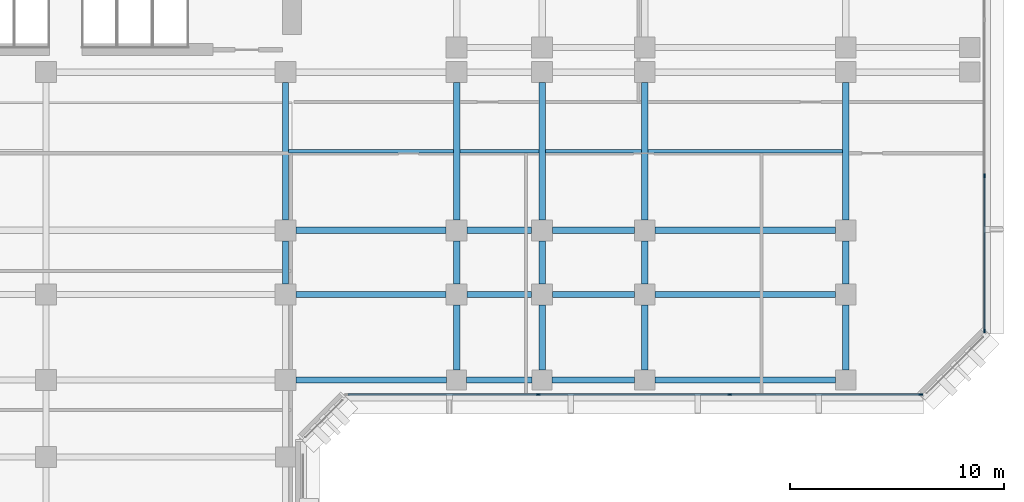
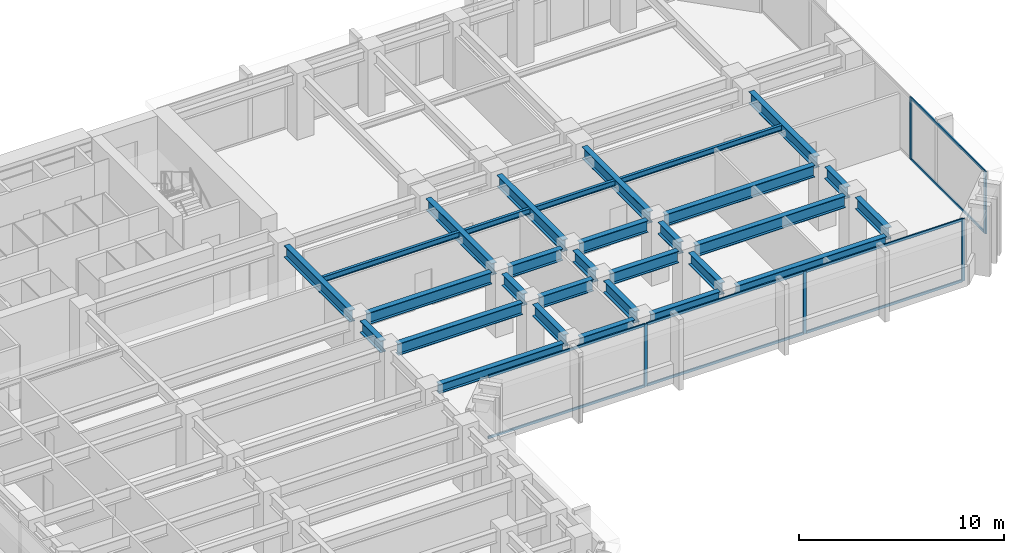
# One storey, part 3 of 14: 30 beams, 13 members, 2 elements without a shape of their own.
"""IFC4 building model written with IfcOpenShell, lengths in metres."""

from ifc_helpers import new_model, si_unit, direction, frame, origin, origin_2d, place, context, subcontext, project, spatial, rectangle, i_section, extrude, material, layer, layer_set, material_profile, profile_set, type_object, element, aggregate, save


model = new_model("IFC4")

# Units and contexts
model_context = context("Model", 3, precision=1e-05, world=origin(), true_north=direction((0.0, 1.0)))
body_context = subcontext(model_context, "Body", "Model", "MODEL_VIEW")
ifc_project = project(units=[si_unit("LENGTHUNIT", "METRE"), si_unit("AREAUNIT", "SQUARE_METRE"), si_unit("VOLUMEUNIT", "CUBIC_METRE"), si_unit("PLANEANGLEUNIT", "RADIAN"), si_unit("MASSUNIT", "GRAM", prefix="KILO")], contexts=[model_context])

# Site, building, storey
site_placement = place(None, origin())
site = spatial("IfcSite", under=ifc_project, at=site_placement, CompositionType="ELEMENT")
building_placement = place(site_placement, origin())
building = spatial("IfcBuilding", under=site, at=building_placement, Name="Kefirva Bronze Tower", CompositionType="ELEMENT")
storey_placement = place(building_placement, frame((0.0, 0.0, 34.320068359375)))
storey = spatial("IfcBuildingStorey", under=building, at=storey_placement, Name="L07", CompositionType="ELEMENT", Elevation=34.320068359375)

# Curtain wall, members
ifc_material_1 = material(Name="Bronze anodised aluminium", Category="aluminium")
ifc_layer = layer(ifc_material_1, 0.199951171875, Name="Bronze anodised aluminium")
ifc_layer_set = layer_set([ifc_layer], Name="Bronze anodised aluminium")
curtain_wall_type = type_object("IfcCurtainWallType", Name="Unitised Bronze Ribbon Curtain Wall Zone 1", PredefinedType="USERDEFINED", material=ifc_layer_set)
curtain_wall_1_placement = place(storey_placement, origin())
curtain_wall_1 = element("IfcCurtainWall", 1, at=curtain_wall_1_placement, inside=storey, type_object=curtain_wall_type, Name="L07 Curtain Wall 2", ObjectType="UNITISED CURTAIN WALL", PredefinedType="USERDEFINED")
ifc_material_profile_1 = material_profile(ifc_material_1, rectangle(XDim=0.074951171875, YDim=0.179931640625, at=origin_2d()), Name="ALU 75x180")
ifc_profile_set_1 = profile_set([ifc_material_profile_1], Name="Bronze anodised aluminium")
member_type_1 = type_object("IfcMemberType", Name="Bronze Mullion 75x180", PredefinedType="MULLION", material=ifc_profile_set_1)
member_1_placement = place(storey_placement, frame((35.018310546875, 18.1201171875, 0.0), z_axis=(0.0, 0.0, 1.0), x_axis=(0.0, 1.0, 0.0)))
member_1 = element("IfcMember", 2, at=member_1_placement, type_object=member_type_1, Name="CW-01 mullion 2", PredefinedType="MULLION", context=body_context, shape_type="SweptSolid", body=[
    extrude(rectangle(XDim=0.074951171875, YDim=0.179931640625, at=origin_2d()), origin(), (0.0, 0.0, 1.0), 3.7099609375),
])
member_2_placement = place(storey_placement, frame((43.981689453125, 18.1201171875, 0.0), z_axis=(0.0, 0.0, 1.0), x_axis=(0.0, 1.0, 0.0)))
member_2 = element("IfcMember", 3, at=member_2_placement, type_object=member_type_1, Name="CW-01 mullion 3", PredefinedType="MULLION", context=body_context, shape_type="SweptSolid", body=[
    extrude(rectangle(XDim=0.074951171875, YDim=0.179931640625, at=origin_2d()), origin(), (0.0, 0.0, 1.0), 3.7099609375),
])
member_3_placement = place(storey_placement, frame((52.907470703125, 18.1201171875, 0.0), z_axis=(0.0, 0.0, 1.0), x_axis=(0.0, 1.0, 0.0)))
member_3 = element("IfcMember", 4, at=member_3_placement, type_object=member_type_1, Name="CW-01 mullion 4", PredefinedType="MULLION", context=body_context, shape_type="SweptSolid", body=[
    extrude(rectangle(XDim=0.074951171875, YDim=0.179931640625, at=origin_2d()), origin(), (0.0, 0.0, 1.0), 3.7099609375),
])

curtain_wall_2_placement = place(storey_placement, origin())
curtain_wall_2 = element("IfcCurtainWall", 5, at=curtain_wall_2_placement, inside=storey, type_object=curtain_wall_type, Name="L07 Curtain Wall 3", ObjectType="UNITISED CURTAIN WALL", PredefinedType="USERDEFINED")
member_4_placement = place(storey_placement, frame((55.8798828125, 21.092529296875, 0.0), z_axis=(0.0, 0.0, 1.0), x_axis=(-1.0, 0.0, 0.0)))
member_4 = element("IfcMember", 6, at=member_4_placement, type_object=member_type_1, Name="CW-01 mullion 1", PredefinedType="MULLION", context=body_context, shape_type="SweptSolid", body=[
    extrude(rectangle(XDim=0.074951171875, YDim=0.179931640625, at=origin_2d()), origin(), (0.0, 0.0, 1.0), 3.7099609375),
])
member_5_placement = place(storey_placement, frame((55.8798828125, 28.3515625, 0.0), z_axis=(0.0, 0.0, 1.0), x_axis=(-1.0, 0.0, 0.0)))
member_5 = element("IfcMember", 7, at=member_5_placement, type_object=member_type_1, Name="CW-01 mullion 2", PredefinedType="MULLION", context=body_context, shape_type="SweptSolid", body=[
    extrude(rectangle(XDim=0.074951171875, YDim=0.179931640625, at=origin_2d()), origin(), (0.0, 0.0, 1.0), 3.7099609375),
])

# Member
ifc_material_profile_2 = material_profile(ifc_material_1, rectangle(XDim=0.074951171875, YDim=0.14990234375, at=origin_2d()), Name="ALU 75x150")
ifc_profile_set_2 = profile_set([ifc_material_profile_2], Name="Bronze anodised aluminium")
member_type_2 = type_object("IfcMemberType", Name="Bronze Transom 75x150", PredefinedType="USERDEFINED", material=ifc_profile_set_2)
member_6_placement = place(storey_placement, frame((26.1298828125, 18.1201171875, 0.037353515625), z_axis=(1.0, 0.0, 0.0), x_axis=(0.0, 1.0, 0.0)))
member_6 = element("IfcMember", 8, at=member_6_placement, type_object=member_type_2, Name="CW-01 transom 1.1", ObjectType="TRANSOM", PredefinedType="USERDEFINED", context=body_context, shape_type="SweptSolid", body=[
    extrude(rectangle(XDim=0.074951171875, YDim=0.14990234375, at=origin_2d()), origin(), (0.0, 0.0, 1.0), 8.850830078125),
])

member_7_placement = place(storey_placement, frame((26.1298828125, 18.1201171875, 3.67236328125), z_axis=(1.0, 0.0, 0.0), x_axis=(0.0, 1.0, 0.0)))
member_7 = element("IfcMember", 9, at=member_7_placement, type_object=member_type_2, Name="CW-01 transom 1.2", ObjectType="TRANSOM", PredefinedType="USERDEFINED", context=body_context, shape_type="SweptSolid", body=[
    extrude(rectangle(XDim=0.074951171875, YDim=0.14990234375, at=origin_2d()), origin(), (0.0, 0.0, 1.0), 8.850830078125),
])

member_8_placement = place(storey_placement, frame((35.055908203125, 18.1201171875, 0.037353515625), z_axis=(1.0, 0.0, 0.0), x_axis=(0.0, 1.0, 0.0)))
member_8 = element("IfcMember", 10, at=member_8_placement, type_object=member_type_2, Name="CW-01 transom 2.1", ObjectType="TRANSOM", PredefinedType="USERDEFINED", context=body_context, shape_type="SweptSolid", body=[
    extrude(rectangle(XDim=0.074951171875, YDim=0.14990234375, at=origin_2d()), origin(), (0.0, 0.0, 1.0), 8.88818359375),
])

member_9_placement = place(storey_placement, frame((35.055908203125, 18.1201171875, 3.67236328125), z_axis=(1.0, 0.0, 0.0), x_axis=(0.0, 1.0, 0.0)))
member_9 = element("IfcMember", 11, at=member_9_placement, type_object=member_type_2, Name="CW-01 transom 2.2", ObjectType="TRANSOM", PredefinedType="USERDEFINED", context=body_context, shape_type="SweptSolid", body=[
    extrude(rectangle(XDim=0.074951171875, YDim=0.14990234375, at=origin_2d()), origin(), (0.0, 0.0, 1.0), 8.88818359375),
])

member_10_placement = place(storey_placement, frame((44.019287109375, 18.1201171875, 0.037353515625), z_axis=(1.0, 0.0, 0.0), x_axis=(0.0, 1.0, 0.0)))
member_10 = element("IfcMember", 12, at=member_10_placement, type_object=member_type_2, Name="CW-01 transom 3.1", ObjectType="TRANSOM", PredefinedType="USERDEFINED", context=body_context, shape_type="SweptSolid", body=[
    extrude(rectangle(XDim=0.074951171875, YDim=0.14990234375, at=origin_2d()), origin(), (0.0, 0.0, 1.0), 8.850830078125),
])

member_11_placement = place(storey_placement, frame((44.019287109375, 18.1201171875, 3.67236328125), z_axis=(1.0, 0.0, 0.0), x_axis=(0.0, 1.0, 0.0)))
member_11 = element("IfcMember", 13, at=member_11_placement, type_object=member_type_2, Name="CW-01 transom 3.2", ObjectType="TRANSOM", PredefinedType="USERDEFINED", context=body_context, shape_type="SweptSolid", body=[
    extrude(rectangle(XDim=0.074951171875, YDim=0.14990234375, at=origin_2d()), origin(), (0.0, 0.0, 1.0), 8.850830078125),
])

aggregate(curtain_wall_1, [member_1, member_2, member_3, member_6, member_7, member_8, member_9, member_10, member_11])

member_12_placement = place(storey_placement, frame((55.8798828125, 21.1298828125, 0.037353515625), z_axis=(0.0, 1.0, 0.0), x_axis=(-1.0, 0.0, 0.0)))
member_12 = element("IfcMember", 14, at=member_12_placement, type_object=member_type_2, Name="CW-01 transom 1.1", ObjectType="TRANSOM", PredefinedType="USERDEFINED", context=body_context, shape_type="SweptSolid", body=[
    extrude(rectangle(XDim=0.074951171875, YDim=0.14990234375, at=origin_2d()), origin(), (0.0, 0.0, 1.0), 7.184326171875),
])

member_13_placement = place(storey_placement, frame((55.8798828125, 21.1298828125, 3.67236328125), z_axis=(0.0, 1.0, 0.0), x_axis=(-1.0, 0.0, 0.0)))
member_13 = element("IfcMember", 15, at=member_13_placement, type_object=member_type_2, Name="CW-01 transom 1.2", ObjectType="TRANSOM", PredefinedType="USERDEFINED", context=body_context, shape_type="SweptSolid", body=[
    extrude(rectangle(XDim=0.074951171875, YDim=0.14990234375, at=origin_2d()), origin(), (0.0, 0.0, 1.0), 7.184326171875),
])

aggregate(curtain_wall_2, [member_4, member_5, member_12, member_13])

# Beams
ifc_material_2 = material(Name="Steel S355", Category="steel")
ifc_material_profile_3 = material_profile(ifc_material_2, i_section(OverallWidth=0.159912109375, OverallDepth=0.330078125, WebThickness=0.007568359375, FlangeThickness=0.011474609375, at=origin_2d()), Name="IPE 330")
ifc_profile_set_3 = profile_set([ifc_material_profile_3], Name="Steel S355")
beam_type_1 = type_object("IfcBeamType", Name="Steel Floor Joist IPE 330", PredefinedType="JOIST", material=ifc_profile_set_3)
beam_1_placement = place(storey_placement, frame((23.35009765625, 29.5, 3.544921875), z_axis=(1.0, 0.0, 0.0), x_axis=(0.0, 1.0, 0.0)))
element("IfcBeam", 16, at=beam_1_placement, inside=storey, type_object=beam_type_1, Name="L07 JST-L07-23-295", PredefinedType="JOIST", context=body_context, shape_type="SweptSolid", body=[
    extrude(i_section(OverallWidth=0.159912109375, OverallDepth=0.330078125, WebThickness=0.007568359375, FlangeThickness=0.011474609375, at=origin_2d()), origin(), (0.0, 0.0, 1.0), 7.699951171875),
])
beam_2_placement = place(storey_placement, frame((31.35009765625, 29.5, 3.544921875), z_axis=(1.0, 0.0, 0.0), x_axis=(0.0, 1.0, 0.0)))
element("IfcBeam", 17, at=beam_2_placement, inside=storey, type_object=beam_type_1, Name="L07 JST-L07-31-295", PredefinedType="JOIST", context=body_context, shape_type="SweptSolid", body=[
    extrude(i_section(OverallWidth=0.159912109375, OverallDepth=0.330078125, WebThickness=0.007568359375, FlangeThickness=0.011474609375, at=origin_2d()), origin(), (0.0, 0.0, 1.0), 3.699951171875),
])
beam_3_placement = place(storey_placement, frame((35.35009765625, 29.5, 3.544921875), z_axis=(1.0, 0.0, 0.0), x_axis=(0.0, 1.0, 0.0)))
element("IfcBeam", 18, at=beam_3_placement, inside=storey, type_object=beam_type_1, Name="L07 JST-L07-35-295", PredefinedType="JOIST", context=body_context, shape_type="SweptSolid", body=[
    extrude(i_section(OverallWidth=0.159912109375, OverallDepth=0.330078125, WebThickness=0.007568359375, FlangeThickness=0.011474609375, at=origin_2d()), origin(), (0.0, 0.0, 1.0), 4.5),
])
beam_4_placement = place(storey_placement, frame((40.14990234375, 29.5, 3.544921875), z_axis=(1.0, 0.0, 0.0), x_axis=(0.0, 1.0, 0.0)))
element("IfcBeam", 19, at=beam_4_placement, inside=storey, type_object=beam_type_1, Name="L07 JST-L07-40-295", PredefinedType="JOIST", context=body_context, shape_type="SweptSolid", body=[
    extrude(i_section(OverallWidth=0.159912109375, OverallDepth=0.330078125, WebThickness=0.007568359375, FlangeThickness=0.011474609375, at=origin_2d()), origin(), (0.0, 0.0, 1.0), 9.10009765625),
])
ifc_material_profile_4 = material_profile(ifc_material_2, i_section(OverallWidth=0.300048828125, OverallDepth=0.699951171875, WebThickness=0.01708984375, FlangeThickness=0.031982421875, at=origin_2d()), Name="HEB 700")
ifc_profile_set_4 = profile_set([ifc_material_profile_4], Name="Steel S355")
beam_type_2 = type_object("IfcBeamType", Name="Steel Girder HEB 700", PredefinedType="USERDEFINED", material=ifc_profile_set_4)
beam_5_placement = place(storey_placement, frame((23.68994140625, 22.800048828125, 3.35986328125), z_axis=(1.0, 0.0, 0.0), x_axis=(0.0, 1.0, 0.0)))
element("IfcBeam", 20, at=beam_5_placement, inside=storey, type_object=beam_type_2, Name="L07 BM-L07-EW-23-228", ObjectType="GIRDER", PredefinedType="USERDEFINED", context=body_context, shape_type="SweptSolid", body=[
    extrude(i_section(OverallWidth=0.300048828125, OverallDepth=0.699951171875, WebThickness=0.01708984375, FlangeThickness=0.031982421875, at=origin_2d()), origin(), (0.0, 0.0, 1.0), 7.02001953125),
])
beam_6_placement = place(storey_placement, frame((31.68994140625, 22.800048828125, 3.35986328125), z_axis=(1.0, 0.0, 0.0), x_axis=(0.0, 1.0, 0.0)))
element("IfcBeam", 21, at=beam_6_placement, inside=storey, type_object=beam_type_2, Name="L07 BM-L07-EW-31-228", ObjectType="GIRDER", PredefinedType="USERDEFINED", context=body_context, shape_type="SweptSolid", body=[
    extrude(i_section(OverallWidth=0.300048828125, OverallDepth=0.699951171875, WebThickness=0.01708984375, FlangeThickness=0.031982421875, at=origin_2d()), origin(), (0.0, 0.0, 1.0), 3.02001953125),
])
beam_7_placement = place(storey_placement, frame((35.68994140625, 22.800048828125, 3.35986328125), z_axis=(1.0, 0.0, 0.0), x_axis=(0.0, 1.0, 0.0)))
element("IfcBeam", 22, at=beam_7_placement, inside=storey, type_object=beam_type_2, Name="L07 BM-L07-EW-35-228", ObjectType="GIRDER", PredefinedType="USERDEFINED", context=body_context, shape_type="SweptSolid", body=[
    extrude(i_section(OverallWidth=0.300048828125, OverallDepth=0.699951171875, WebThickness=0.01708984375, FlangeThickness=0.031982421875, at=origin_2d()), origin(), (0.0, 0.0, 1.0), 3.820068359375),
])
beam_8_placement = place(storey_placement, frame((40.489990234375, 22.800048828125, 3.35986328125), z_axis=(1.0, 0.0, 0.0), x_axis=(0.0, 1.0, 0.0)))
element("IfcBeam", 23, at=beam_8_placement, inside=storey, type_object=beam_type_2, Name="L07 BM-L07-EW-40-228", ObjectType="GIRDER", PredefinedType="USERDEFINED", context=body_context, shape_type="SweptSolid", body=[
    extrude(i_section(OverallWidth=0.300048828125, OverallDepth=0.699951171875, WebThickness=0.01708984375, FlangeThickness=0.031982421875, at=origin_2d()), origin(), (0.0, 0.0, 1.0), 8.419921875),
])
beam_9_placement = place(storey_placement, frame((23.68994140625, 25.800048828125, 3.35986328125), z_axis=(1.0, 0.0, 0.0), x_axis=(0.0, 1.0, 0.0)))
element("IfcBeam", 24, at=beam_9_placement, inside=storey, type_object=beam_type_2, Name="L07 BM-L07-EW-23-258", ObjectType="GIRDER", PredefinedType="USERDEFINED", context=body_context, shape_type="SweptSolid", body=[
    extrude(i_section(OverallWidth=0.300048828125, OverallDepth=0.699951171875, WebThickness=0.01708984375, FlangeThickness=0.031982421875, at=origin_2d()), origin(), (0.0, 0.0, 1.0), 7.02001953125),
])
beam_10_placement = place(storey_placement, frame((31.68994140625, 25.800048828125, 3.35986328125), z_axis=(1.0, 0.0, 0.0), x_axis=(0.0, 1.0, 0.0)))
element("IfcBeam", 25, at=beam_10_placement, inside=storey, type_object=beam_type_2, Name="L07 BM-L07-EW-31-258", ObjectType="GIRDER", PredefinedType="USERDEFINED", context=body_context, shape_type="SweptSolid", body=[
    extrude(i_section(OverallWidth=0.300048828125, OverallDepth=0.699951171875, WebThickness=0.01708984375, FlangeThickness=0.031982421875, at=origin_2d()), origin(), (0.0, 0.0, 1.0), 3.02001953125),
])
beam_11_placement = place(storey_placement, frame((35.68994140625, 25.800048828125, 3.35986328125), z_axis=(1.0, 0.0, 0.0), x_axis=(0.0, 1.0, 0.0)))
element("IfcBeam", 26, at=beam_11_placement, inside=storey, type_object=beam_type_2, Name="L07 BM-L07-EW-35-258", ObjectType="GIRDER", PredefinedType="USERDEFINED", context=body_context, shape_type="SweptSolid", body=[
    extrude(i_section(OverallWidth=0.300048828125, OverallDepth=0.699951171875, WebThickness=0.01708984375, FlangeThickness=0.031982421875, at=origin_2d()), origin(), (0.0, 0.0, 1.0), 3.820068359375),
])
beam_12_placement = place(storey_placement, frame((40.489990234375, 25.800048828125, 3.35986328125), z_axis=(1.0, 0.0, 0.0), x_axis=(0.0, 1.0, 0.0)))
element("IfcBeam", 27, at=beam_12_placement, inside=storey, type_object=beam_type_2, Name="L07 BM-L07-EW-40-258", ObjectType="GIRDER", PredefinedType="USERDEFINED", context=body_context, shape_type="SweptSolid", body=[
    extrude(i_section(OverallWidth=0.300048828125, OverallDepth=0.699951171875, WebThickness=0.01708984375, FlangeThickness=0.031982421875, at=origin_2d()), origin(), (0.0, 0.0, 1.0), 8.419921875),
])
beam_13_placement = place(storey_placement, frame((23.199951171875, 23.2900390625, 3.35986328125), z_axis=(0.0, 1.0, 0.0), x_axis=(-1.0, 0.0, 0.0)))
element("IfcBeam", 28, at=beam_13_placement, inside=storey, type_object=beam_type_2, Name="L07 BM-L07-NS-232-22", ObjectType="GIRDER", PredefinedType="USERDEFINED", context=body_context, shape_type="SweptSolid", body=[
    extrude(i_section(OverallWidth=0.300048828125, OverallDepth=0.699951171875, WebThickness=0.01708984375, FlangeThickness=0.031982421875, at=origin_2d()), origin(), (0.0, 0.0, 1.0), 2.02001953125),
])
beam_14_placement = place(storey_placement, frame((23.199951171875, 26.2900390625, 3.35986328125), z_axis=(0.0, 1.0, 0.0), x_axis=(-1.0, 0.0, 0.0)))
element("IfcBeam", 29, at=beam_14_placement, inside=storey, type_object=beam_type_2, Name="L07 BM-L07-NS-232-25", ObjectType="GIRDER", PredefinedType="USERDEFINED", context=body_context, shape_type="SweptSolid", body=[
    extrude(i_section(OverallWidth=0.300048828125, OverallDepth=0.699951171875, WebThickness=0.01708984375, FlangeThickness=0.031982421875, at=origin_2d()), origin(), (0.0, 0.0, 1.0), 6.419921875),
])
beam_15_placement = place(storey_placement, frame((31.199951171875, 19.27001953125, 3.35986328125), z_axis=(0.0, 1.0, 0.0), x_axis=(-1.0, 0.0, 0.0)))
element("IfcBeam", 30, at=beam_15_placement, inside=storey, type_object=beam_type_2, Name="L07 BM-L07-NS-312-18", ObjectType="GIRDER", PredefinedType="USERDEFINED", context=body_context, shape_type="SweptSolid", body=[
    extrude(i_section(OverallWidth=0.300048828125, OverallDepth=0.699951171875, WebThickness=0.01708984375, FlangeThickness=0.031982421875, at=origin_2d()), origin(), (0.0, 0.0, 1.0), 3.0400390625),
])
beam_16_placement = place(storey_placement, frame((31.199951171875, 23.2900390625, 3.35986328125), z_axis=(0.0, 1.0, 0.0), x_axis=(-1.0, 0.0, 0.0)))
element("IfcBeam", 31, at=beam_16_placement, inside=storey, type_object=beam_type_2, Name="L07 BM-L07-NS-312-22", ObjectType="GIRDER", PredefinedType="USERDEFINED", context=body_context, shape_type="SweptSolid", body=[
    extrude(i_section(OverallWidth=0.300048828125, OverallDepth=0.699951171875, WebThickness=0.01708984375, FlangeThickness=0.031982421875, at=origin_2d()), origin(), (0.0, 0.0, 1.0), 2.02001953125),
])
beam_17_placement = place(storey_placement, frame((31.199951171875, 26.2900390625, 3.35986328125), z_axis=(0.0, 1.0, 0.0), x_axis=(-1.0, 0.0, 0.0)))
element("IfcBeam", 32, at=beam_17_placement, inside=storey, type_object=beam_type_2, Name="L07 BM-L07-NS-312-25", ObjectType="GIRDER", PredefinedType="USERDEFINED", context=body_context, shape_type="SweptSolid", body=[
    extrude(i_section(OverallWidth=0.300048828125, OverallDepth=0.699951171875, WebThickness=0.01708984375, FlangeThickness=0.031982421875, at=origin_2d()), origin(), (0.0, 0.0, 1.0), 6.419921875),
])
beam_18_placement = place(storey_placement, frame((35.199951171875, 19.27001953125, 3.35986328125), z_axis=(0.0, 1.0, 0.0), x_axis=(-1.0, 0.0, 0.0)))
element("IfcBeam", 33, at=beam_18_placement, inside=storey, type_object=beam_type_2, Name="L07 BM-L07-NS-352-18", ObjectType="GIRDER", PredefinedType="USERDEFINED", context=body_context, shape_type="SweptSolid", body=[
    extrude(i_section(OverallWidth=0.300048828125, OverallDepth=0.699951171875, WebThickness=0.01708984375, FlangeThickness=0.031982421875, at=origin_2d()), origin(), (0.0, 0.0, 1.0), 3.0400390625),
])
beam_19_placement = place(storey_placement, frame((35.199951171875, 23.2900390625, 3.35986328125), z_axis=(0.0, 1.0, 0.0), x_axis=(-1.0, 0.0, 0.0)))
element("IfcBeam", 34, at=beam_19_placement, inside=storey, type_object=beam_type_2, Name="L07 BM-L07-NS-352-22", ObjectType="GIRDER", PredefinedType="USERDEFINED", context=body_context, shape_type="SweptSolid", body=[
    extrude(i_section(OverallWidth=0.300048828125, OverallDepth=0.699951171875, WebThickness=0.01708984375, FlangeThickness=0.031982421875, at=origin_2d()), origin(), (0.0, 0.0, 1.0), 2.02001953125),
])
beam_20_placement = place(storey_placement, frame((35.199951171875, 26.2900390625, 3.35986328125), z_axis=(0.0, 1.0, 0.0), x_axis=(-1.0, 0.0, 0.0)))
element("IfcBeam", 35, at=beam_20_placement, inside=storey, type_object=beam_type_2, Name="L07 BM-L07-NS-352-25", ObjectType="GIRDER", PredefinedType="USERDEFINED", context=body_context, shape_type="SweptSolid", body=[
    extrude(i_section(OverallWidth=0.300048828125, OverallDepth=0.699951171875, WebThickness=0.01708984375, FlangeThickness=0.031982421875, at=origin_2d()), origin(), (0.0, 0.0, 1.0), 6.419921875),
])
beam_21_placement = place(storey_placement, frame((40.0, 19.27001953125, 3.35986328125), z_axis=(0.0, 1.0, 0.0), x_axis=(-1.0, 0.0, 0.0)))
element("IfcBeam", 36, at=beam_21_placement, inside=storey, type_object=beam_type_2, Name="L07 BM-L07-NS-400-18", ObjectType="GIRDER", PredefinedType="USERDEFINED", context=body_context, shape_type="SweptSolid", body=[
    extrude(i_section(OverallWidth=0.300048828125, OverallDepth=0.699951171875, WebThickness=0.01708984375, FlangeThickness=0.031982421875, at=origin_2d()), origin(), (0.0, 0.0, 1.0), 3.0400390625),
])
beam_22_placement = place(storey_placement, frame((40.0, 23.2900390625, 3.35986328125), z_axis=(0.0, 1.0, 0.0), x_axis=(-1.0, 0.0, 0.0)))
element("IfcBeam", 37, at=beam_22_placement, inside=storey, type_object=beam_type_2, Name="L07 BM-L07-NS-400-22", ObjectType="GIRDER", PredefinedType="USERDEFINED", context=body_context, shape_type="SweptSolid", body=[
    extrude(i_section(OverallWidth=0.300048828125, OverallDepth=0.699951171875, WebThickness=0.01708984375, FlangeThickness=0.031982421875, at=origin_2d()), origin(), (0.0, 0.0, 1.0), 2.02001953125),
])
beam_23_placement = place(storey_placement, frame((40.0, 26.2900390625, 3.35986328125), z_axis=(0.0, 1.0, 0.0), x_axis=(-1.0, 0.0, 0.0)))
element("IfcBeam", 38, at=beam_23_placement, inside=storey, type_object=beam_type_2, Name="L07 BM-L07-NS-400-25", ObjectType="GIRDER", PredefinedType="USERDEFINED", context=body_context, shape_type="SweptSolid", body=[
    extrude(i_section(OverallWidth=0.300048828125, OverallDepth=0.699951171875, WebThickness=0.01708984375, FlangeThickness=0.031982421875, at=origin_2d()), origin(), (0.0, 0.0, 1.0), 6.419921875),
])
beam_24_placement = place(storey_placement, frame((49.39990234375, 19.27001953125, 3.35986328125), z_axis=(0.0, 1.0, 0.0), x_axis=(-1.0, 0.0, 0.0)))
element("IfcBeam", 39, at=beam_24_placement, inside=storey, type_object=beam_type_2, Name="L07 BM-L07-NS-494-18", ObjectType="GIRDER", PredefinedType="USERDEFINED", context=body_context, shape_type="SweptSolid", body=[
    extrude(i_section(OverallWidth=0.300048828125, OverallDepth=0.699951171875, WebThickness=0.01708984375, FlangeThickness=0.031982421875, at=origin_2d()), origin(), (0.0, 0.0, 1.0), 3.0400390625),
])
beam_25_placement = place(storey_placement, frame((49.39990234375, 23.2900390625, 3.35986328125), z_axis=(0.0, 1.0, 0.0), x_axis=(-1.0, 0.0, 0.0)))
element("IfcBeam", 40, at=beam_25_placement, inside=storey, type_object=beam_type_2, Name="L07 BM-L07-NS-494-22", ObjectType="GIRDER", PredefinedType="USERDEFINED", context=body_context, shape_type="SweptSolid", body=[
    extrude(i_section(OverallWidth=0.300048828125, OverallDepth=0.699951171875, WebThickness=0.01708984375, FlangeThickness=0.031982421875, at=origin_2d()), origin(), (0.0, 0.0, 1.0), 2.02001953125),
])
beam_26_placement = place(storey_placement, frame((49.39990234375, 26.2900390625, 3.35986328125), z_axis=(0.0, 1.0, 0.0), x_axis=(-1.0, 0.0, 0.0)))
element("IfcBeam", 41, at=beam_26_placement, inside=storey, type_object=beam_type_2, Name="L07 BM-L07-NS-494-25", ObjectType="GIRDER", PredefinedType="USERDEFINED", context=body_context, shape_type="SweptSolid", body=[
    extrude(i_section(OverallWidth=0.300048828125, OverallDepth=0.699951171875, WebThickness=0.01708984375, FlangeThickness=0.031982421875, at=origin_2d()), origin(), (0.0, 0.0, 1.0), 6.419921875),
])
ifc_material_profile_5 = material_profile(ifc_material_2, i_section(OverallWidth=0.300048828125, OverallDepth=0.550048828125, WebThickness=0.014892578125, FlangeThickness=0.029052734375, at=origin_2d()), Name="HEB 550")
ifc_profile_set_5 = profile_set([ifc_material_profile_5], Name="Steel S355")
beam_type_3 = type_object("IfcBeamType", Name="Steel Spandrel HEB 550 Ext", PredefinedType="SPANDREL", material=ifc_profile_set_5)
beam_27_placement = place(storey_placement, frame((23.68994140625, 18.800048828125, 3.434814453125), z_axis=(1.0, 0.0, 0.0), x_axis=(0.0, 1.0, 0.0)))
element("IfcBeam", 42, at=beam_27_placement, inside=storey, type_object=beam_type_3, Name="L07 BM-L07-EW-23-188", PredefinedType="SPANDREL", context=body_context, shape_type="SweptSolid", body=[
    extrude(i_section(OverallWidth=0.300048828125, OverallDepth=0.550048828125, WebThickness=0.014892578125, FlangeThickness=0.029052734375, at=origin_2d()), origin(), (0.0, 0.0, 1.0), 7.0400390625),
])
beam_28_placement = place(storey_placement, frame((31.669921875, 18.800048828125, 3.434814453125), z_axis=(1.0, 0.0, 0.0), x_axis=(0.0, 1.0, 0.0)))
element("IfcBeam", 43, at=beam_28_placement, inside=storey, type_object=beam_type_3, Name="L07 BM-L07-EW-31-188", PredefinedType="SPANDREL", context=body_context, shape_type="SweptSolid", body=[
    extrude(i_section(OverallWidth=0.300048828125, OverallDepth=0.550048828125, WebThickness=0.014892578125, FlangeThickness=0.029052734375, at=origin_2d()), origin(), (0.0, 0.0, 1.0), 3.06005859375),
])
beam_29_placement = place(storey_placement, frame((35.669921875, 18.800048828125, 3.434814453125), z_axis=(1.0, 0.0, 0.0), x_axis=(0.0, 1.0, 0.0)))
element("IfcBeam", 44, at=beam_29_placement, inside=storey, type_object=beam_type_3, Name="L07 BM-L07-EW-35-188", PredefinedType="SPANDREL", context=body_context, shape_type="SweptSolid", body=[
    extrude(i_section(OverallWidth=0.300048828125, OverallDepth=0.550048828125, WebThickness=0.014892578125, FlangeThickness=0.029052734375, at=origin_2d()), origin(), (0.0, 0.0, 1.0), 3.860107421875),
])
beam_30_placement = place(storey_placement, frame((40.469970703125, 18.800048828125, 3.434814453125), z_axis=(1.0, 0.0, 0.0), x_axis=(0.0, 1.0, 0.0)))
element("IfcBeam", 45, at=beam_30_placement, inside=storey, type_object=beam_type_3, Name="L07 BM-L07-EW-40-188", PredefinedType="SPANDREL", context=body_context, shape_type="SweptSolid", body=[
    extrude(i_section(OverallWidth=0.300048828125, OverallDepth=0.550048828125, WebThickness=0.014892578125, FlangeThickness=0.029052734375, at=origin_2d()), origin(), (0.0, 0.0, 1.0), 8.4599609375),
])

save(model, "model.ifc")
